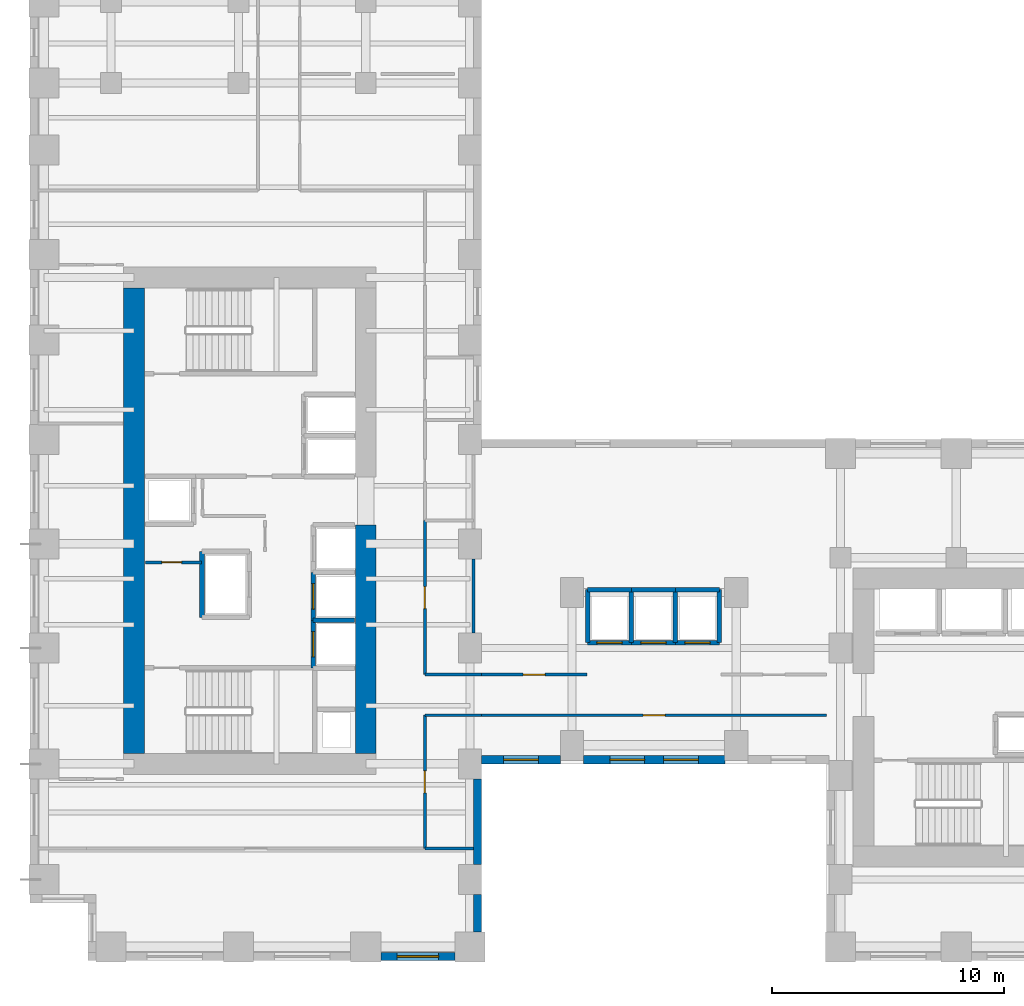
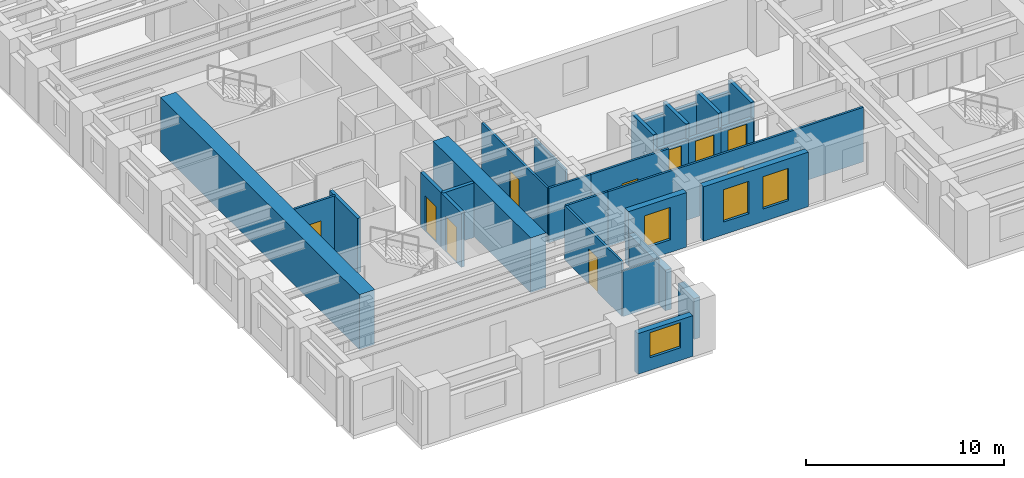
# One storey, part 4 of 11: 30 walls, 10 doors, 4 windows, 14 openings.
"""IFC4 building model written with IfcOpenShell, lengths in metres."""

from ifc_helpers import new_model, si_unit, direction, frame, frame_2d, origin, place, context, subcontext, project, spatial, rectangle, extrude, source, transform, mapped, material, layer, layer_set, type_object, element, fill, save


model = new_model("IFC4")

# Units and contexts
model_context = context("Model", 3, precision=1e-05, world=origin(), true_north=direction((0.0, 1.0)))
body_context = subcontext(model_context, "Body", "Model", "MODEL_VIEW")
ifc_project = project(units=[si_unit("LENGTHUNIT", "METRE"), si_unit("AREAUNIT", "SQUARE_METRE"), si_unit("VOLUMEUNIT", "CUBIC_METRE"), si_unit("PLANEANGLEUNIT", "RADIAN"), si_unit("MASSUNIT", "GRAM", prefix="KILO")], contexts=[model_context])

# Site, building, storey
site_placement = place(None, origin())
site = spatial("IfcSite", under=ifc_project, at=site_placement, CompositionType="ELEMENT")
building_placement = place(site_placement, origin())
building = spatial("IfcBuilding", under=site, at=building_placement, Name="Kharzan Plaza Tower", CompositionType="ELEMENT")
storey_placement = place(building_placement, frame((0.0, 0.0, 54.89990234375)))
storey = spatial("IfcBuildingStorey", under=building, at=storey_placement, Name="L14", CompositionType="ELEMENT", Elevation=54.89990234375)

# Wall, opening, window
ifc_material_1 = material(Name="Concrete C40/50", Category="concrete")
ifc_layer_1 = layer(ifc_material_1, 0.35009765625)
ifc_layer_set_1 = layer_set([ifc_layer_1], Name="Concrete C40/50")
wall_type_1 = type_object("IfcWallType", Name="WL-EXT-MAS-Z1", PredefinedType="SOLIDWALL", material=ifc_layer_set_1)
wall_1_placement = place(storey_placement, frame((15.14794921875, 0.175048828125, 0.0), z_axis=(0.0, 0.0, 1.0), x_axis=(1.0, 0.0, 0.0)))
wall_1 = element("IfcWall", 1, at=wall_1_placement, inside=storey, type_object=wall_type_1, Name="L14 Masonry-Frame Exterior Wall 25", PredefinedType="SOLIDWALL", context=body_context, shape_type="SweptSolid", body=[
    extrude(rectangle(XDim=3.2041015625, YDim=0.35009765625, at=frame_2d((1.60205078125, 0.0))), origin(), (0.0, 0.0, 1.0), 2.510009765625),
])
opening_1_placement = place(wall_1_placement, frame((0.701904296875, 0.0, 0.780029296875)))
opening_1 = element("IfcOpeningElement", 2, at=opening_1_placement, cuts=wall_1, Name="Opening W1", PredefinedType="OPENING", context=body_context, shape_type="SweptSolid", body=[
    extrude(rectangle(XDim=1.800048828125, YDim=1.550048828125, at=frame_2d((0.89990234375, 0.77490234375))), frame((0.0, 0.18505859375, 0.0), z_axis=(0.0, -1.0, 0.0), x_axis=(1.0, 0.0, 0.0)), (0.0, 0.0, 1.0), 0.3701171875),
])
ifc_material_2 = material(Name="Low-E Double Glazing", Category="glass")
window_type_1 = type_object("IfcWindowType", Name="WN-REC-1800x2100", PartitioningType="SINGLE_PANEL", PredefinedType="WINDOW", material=ifc_material_2)
shared_shape_1 = source(origin(), body_context, "Body", "SweptSolid", [
    extrude(rectangle(XDim=1.800048828125, YDim=1.550048828125, at=frame_2d((0.89990234375, 0.77490234375))), frame((0.0, 0.030029296875, 0.0), z_axis=(0.0, -1.0, 0.0), x_axis=(1.0, 0.0, 0.0)), (0.0, 0.0, 1.0), 0.06005859375),
])
window_1_placement = place(opening_1_placement, origin())
window_1 = element("IfcWindow", 3, at=window_1_placement, inside=storey, type_object=window_type_1, Name="L14 Recessed Solar-Control Window 25-1", OverallHeight=1.550048828125, OverallWidth=1.800048828125, PartitioningType="SINGLE_PANEL", PredefinedType="WINDOW", context=body_context, shape_type="MappedRepresentation", body=[
    mapped(shared_shape_1, transform((0.0, 0.0, 0.0), x_axis=(1.0, 0.0, 0.0), y_axis=(0.0, 1.0, 0.0), z_axis=(0.0, 0.0, 1.0))),
])
fill(opening_1, window_1)

wall_2_placement = place(storey_placement, frame((19.498046875, 8.675048828125, 0.0), z_axis=(0.0, 0.0, 1.0), x_axis=(1.0, 0.0, 0.0)))
wall_2 = element("IfcWall", 4, at=wall_2_placement, inside=storey, type_object=wall_type_1, Name="L14 Masonry-Frame Exterior Wall 28", PredefinedType="SOLIDWALL", context=body_context, shape_type="SweptSolid", body=[
    extrude(rectangle(XDim=3.404052734375, YDim=0.35009765625, at=frame_2d((1.7021484375, 0.0))), origin(), (0.0, 0.0, 1.0), 3.364990234375),
])
opening_2_placement = place(wall_2_placement, frame((0.951904296875, 0.0, 0.780029296875)))
opening_2 = element("IfcOpeningElement", 5, at=opening_2_placement, cuts=wall_2, Name="Opening W5", PredefinedType="OPENING", context=body_context, shape_type="SweptSolid", body=[
    extrude(rectangle(XDim=1.5, YDim=2.0, at=frame_2d((0.75, 1.0))), frame((0.0, 0.18505859375, 0.0), z_axis=(0.0, -1.0, 0.0), x_axis=(1.0, 0.0, 0.0)), (0.0, 0.0, 1.0), 0.3701171875),
])
window_type_2 = type_object("IfcWindowType", Name="WN-SLT-1500x2000", PartitioningType="SINGLE_PANEL", PredefinedType="WINDOW", material=ifc_material_2)
shared_shape_2 = source(origin(), body_context, "Body", "SweptSolid", [
    extrude(rectangle(XDim=1.5, YDim=2.0, at=frame_2d((0.75, 1.0))), frame((0.0, 0.030029296875, 0.0), z_axis=(0.0, -1.0, 0.0), x_axis=(1.0, 0.0, 0.0)), (0.0, 0.0, 1.0), 0.06005859375),
])
window_2_placement = place(opening_2_placement, origin())
window_2 = element("IfcWindow", 6, at=window_2_placement, inside=storey, type_object=window_type_2, Name="L14 Recessed Solar-Control Window 28-1", OverallHeight=2.0, OverallWidth=1.5, PartitioningType="SINGLE_PANEL", PredefinedType="WINDOW", context=body_context, shape_type="MappedRepresentation", body=[
    mapped(shared_shape_2, transform((0.0, 0.0, 0.0), x_axis=(1.0, 0.0, 0.0), y_axis=(0.0, 1.0, 0.0), z_axis=(0.0, 0.0, 1.0))),
])
fill(opening_2, window_2)

# Wall, openings, windows
wall_3_placement = place(storey_placement, frame((23.89794921875, 8.675048828125, 0.0), z_axis=(0.0, 0.0, 1.0), x_axis=(1.0, 0.0, 0.0)))
wall_3 = element("IfcWall", 7, at=wall_3_placement, inside=storey, type_object=wall_type_1, Name="L14 Masonry-Frame Exterior Wall 29", PredefinedType="SOLIDWALL", context=body_context, shape_type="SweptSolid", body=[
    extrude(rectangle(XDim=6.10400390625, YDim=0.35009765625, at=frame_2d((3.052001953125, 0.0))), origin(), (0.0, 0.0, 1.0), 3.364990234375),
])
opening_3_placement = place(wall_3_placement, frame((1.141357421875, 0.0, 0.780029296875)))
opening_3 = element("IfcOpeningElement", 8, at=opening_3_placement, cuts=wall_3, Name="Opening W5", PredefinedType="OPENING", context=body_context, shape_type="SweptSolid", body=[
    extrude(rectangle(XDim=1.5, YDim=2.0, at=frame_2d((0.75, 1.0))), frame((0.0, 0.18505859375, 0.0), z_axis=(0.0, -1.0, 0.0), x_axis=(1.0, 0.0, 0.0)), (0.0, 0.0, 1.0), 0.3701171875),
])
opening_4_placement = place(wall_3_placement, frame((3.462646484375, 0.0, 0.780029296875)))
opening_4 = element("IfcOpeningElement", 9, at=opening_4_placement, cuts=wall_3, Name="Opening W5", PredefinedType="OPENING", context=body_context, shape_type="SweptSolid", body=[
    extrude(rectangle(XDim=1.5, YDim=2.0, at=frame_2d((0.75, 1.0))), frame((0.0, 0.18505859375, 0.0), z_axis=(0.0, -1.0, 0.0), x_axis=(1.0, 0.0, 0.0)), (0.0, 0.0, 1.0), 0.3701171875),
])
window_3_placement = place(opening_3_placement, origin())
window_3 = element("IfcWindow", 10, at=window_3_placement, inside=storey, type_object=window_type_2, Name="L14 Recessed Solar-Control Window 29-1", OverallHeight=2.0, OverallWidth=1.5, PartitioningType="SINGLE_PANEL", PredefinedType="WINDOW", context=body_context, shape_type="MappedRepresentation", body=[
    mapped(shared_shape_2, transform((0.0, 0.0, 0.0), x_axis=(1.0, 0.0, 0.0), y_axis=(0.0, 1.0, 0.0), z_axis=(0.0, 0.0, 1.0))),
])
fill(opening_3, window_3)
window_4_placement = place(opening_4_placement, origin())
window_4 = element("IfcWindow", 11, at=window_4_placement, inside=storey, type_object=window_type_2, Name="L14 Recessed Solar-Control Window 29-2", OverallHeight=2.0, OverallWidth=1.5, PartitioningType="SINGLE_PANEL", PredefinedType="WINDOW", context=body_context, shape_type="MappedRepresentation", body=[
    mapped(shared_shape_2, transform((0.0, 0.0, 0.0), x_axis=(1.0, 0.0, 0.0), y_axis=(0.0, 1.0, 0.0), z_axis=(0.0, 0.0, 1.0))),
])
fill(opening_4, window_4)

# Wall, opening, door
ifc_material_3 = material(Name="Fire-Rated Gypsum Board Partition", Category="gypsum")
ifc_layer_2 = layer(ifc_material_3, 0.125)
ifc_layer_set_2 = layer_set([ifc_layer_2], Name="Fire-Rated Gypsum Board Partition")
wall_type_2 = type_object("IfcWallType", Name="WL-INT-PART-125", PredefinedType="PARTITIONING", material=ifc_layer_set_2)
wall_4_placement = place(storey_placement, frame((5.0, 17.199951171875, 0.0), z_axis=(0.0, 0.0, 1.0), x_axis=(1.0, 0.0, 0.0)))
wall_4 = element("IfcWall", 12, at=wall_4_placement, inside=storey, type_object=wall_type_2, Name="L14 Interior Partition CA-K2N0", PredefinedType="PARTITIONING", context=body_context, shape_type="SweptSolid", body=[
    extrude(rectangle(XDim=2.39990234375, YDim=0.125, at=frame_2d((1.199951171875, 0.0))), origin(), (0.0, 0.0, 1.0), 3.364990234375),
])
opening_5_placement = place(wall_4_placement, frame((0.699951171875, 0.0, 0.0)))
opening_5 = element("IfcOpeningElement", 13, at=opening_5_placement, cuts=wall_4, Name="Opening RD1", PredefinedType="OPENING", context=body_context, shape_type="SweptSolid", body=[
    extrude(rectangle(XDim=0.85009765625, YDim=2.10009765625, at=frame_2d((0.425048828125, 1.050048828125))), frame((0.0, 0.072509765625, 0.0), z_axis=(0.0, -1.0, 0.0), x_axis=(1.0, 0.0, 0.0)), (0.0, 0.0, 1.0), 0.14501953125),
])
ifc_material_4 = material(Name="Powder-Coated Fire-Rated Steel", Category="steel")
door_type_1 = type_object("IfcDoorType", Name="DR-RISER-900", OperationType="NOTDEFINED", PredefinedType="DOOR", material=ifc_material_4)
shared_shape_3 = source(origin(), body_context, "Body", "SweptSolid", [
    extrude(rectangle(XDim=0.85009765625, YDim=2.10009765625, at=frame_2d((0.425048828125, 1.050048828125))), frame((0.0, 0.02490234375, 0.0), z_axis=(0.0, -1.0, 0.0), x_axis=(1.0, 0.0, 0.0)), (0.0, 0.0, 1.0), 0.050048828125),
])
door_1_placement = place(opening_5_placement, origin())
door_1 = element("IfcDoor", 14, at=door_1_placement, inside=storey, type_object=door_type_1, Name="L14 Core Electrical Store Door", OperationType="SINGLE_SWING_LEFT", OverallHeight=2.10009765625, OverallWidth=0.85009765625, PredefinedType="DOOR", context=body_context, shape_type="MappedRepresentation", body=[
    mapped(shared_shape_3, transform((0.0, 0.0, 0.0), x_axis=(1.0, 0.0, 0.0), y_axis=(0.0, 1.0, 0.0), z_axis=(0.0, 0.0, 1.0))),
])
fill(opening_5, door_1)

wall_5_placement = place(storey_placement, frame((17.050048828125, 12.35009765625, 0.0), z_axis=(0.0, 0.0, 1.0), x_axis=(0.0, 1.0, 0.0)))
wall_5 = element("IfcWall", 15, at=wall_5_placement, inside=storey, type_object=wall_type_2, Name="L14 Interior Partition SH-AEWN1", PredefinedType="PARTITIONING", context=body_context, shape_type="SweptSolid", body=[
    extrude(rectangle(XDim=6.64990234375, YDim=0.125, at=frame_2d((3.324951171875, 0.0))), origin(), (0.0, 0.0, 1.0), 3.364990234375),
])
opening_6_placement = place(wall_5_placement, frame((2.85009765625, 0.0, 0.0)))
opening_6 = element("IfcOpeningElement", 16, at=opening_6_placement, cuts=wall_5, Name="Opening OD1", PredefinedType="OPENING", context=body_context, shape_type="SweptSolid", body=[
    extrude(rectangle(XDim=0.949951171875, YDim=2.14990234375, at=frame_2d((0.47509765625, 1.074951171875))), frame((0.0, 0.072509765625, 0.0), z_axis=(0.0, -1.0, 0.0), x_axis=(1.0, 0.0, 0.0)), (0.0, 0.0, 1.0), 0.14501953125),
])
ifc_material_5 = material(Name="Acoustic Solid-Core Stained Oak", Category="timber")
door_type_2 = type_object("IfcDoorType", Name="DR-OFF-SINGLE", OperationType="NOTDEFINED", PredefinedType="DOOR", material=ifc_material_5)
shared_shape_4 = source(origin(), body_context, "Body", "SweptSolid", [
    extrude(rectangle(XDim=0.949951171875, YDim=2.14990234375, at=frame_2d((0.47509765625, 1.074951171875))), frame((0.0, 0.02490234375, 0.0), z_axis=(0.0, -1.0, 0.0), x_axis=(1.0, 0.0, 0.0)), (0.0, 0.0, 1.0), 0.050048828125),
])
door_2_placement = place(opening_6_placement, origin())
door_2 = element("IfcDoor", 17, at=door_2_placement, inside=storey, type_object=door_type_2, Name="L14 Slot Collaboration Door", OperationType="SINGLE_SWING_RIGHT", OverallHeight=2.14990234375, OverallWidth=0.949951171875, PredefinedType="DOOR", context=body_context, shape_type="MappedRepresentation", body=[
    mapped(shared_shape_4, transform((0.0, 0.0, 0.0), x_axis=(1.0, 0.0, 0.0), y_axis=(0.0, 1.0, 0.0), z_axis=(0.0, 0.0, 1.0))),
])
fill(opening_6, door_2)

wall_6_placement = place(storey_placement, frame((17.050048828125, 4.85009765625, 0.0), z_axis=(0.0, 0.0, 1.0), x_axis=(0.0, 1.0, 0.0)))
wall_6 = element("IfcWall", 18, at=wall_6_placement, inside=storey, type_object=wall_type_2, Name="L14 Interior Partition SH-AEWS", PredefinedType="PARTITIONING", context=body_context, shape_type="SweptSolid", body=[
    extrude(rectangle(XDim=5.75, YDim=0.125, at=frame_2d((2.875, 0.0))), origin(), (0.0, 0.0, 1.0), 3.364990234375),
])
opening_7_placement = place(wall_6_placement, frame((2.39990234375, 0.0, 0.0)))
opening_7 = element("IfcOpeningElement", 19, at=opening_7_placement, cuts=wall_6, Name="Opening OD1", PredefinedType="OPENING", context=body_context, shape_type="SweptSolid", body=[
    extrude(rectangle(XDim=0.949951171875, YDim=2.14990234375, at=frame_2d((0.47509765625, 1.074951171875))), frame((0.0, 0.072509765625, 0.0), z_axis=(0.0, -1.0, 0.0), x_axis=(1.0, 0.0, 0.0)), (0.0, 0.0, 1.0), 0.14501953125),
])
door_3_placement = place(opening_7_placement, origin())
door_3 = element("IfcDoor", 20, at=door_3_placement, inside=storey, type_object=door_type_2, Name="L14 Slot South Office Door", OperationType="SINGLE_SWING_LEFT", OverallHeight=2.14990234375, OverallWidth=0.949951171875, PredefinedType="DOOR", context=body_context, shape_type="MappedRepresentation", body=[
    mapped(shared_shape_4, transform((0.0, 0.0, 0.0), x_axis=(1.0, 0.0, 0.0), y_axis=(0.0, 1.0, 0.0), z_axis=(0.0, 0.0, 1.0))),
])
fill(opening_7, door_3)

wall_7_placement = place(storey_placement, frame((19.5, 12.35009765625, 0.0), z_axis=(0.0, 0.0, 1.0), x_axis=(1.0, 0.0, 0.0)))
wall_7 = element("IfcWall", 21, at=wall_7_placement, inside=storey, type_object=wall_type_2, Name="L14 Interior Partition SH-SPNW1", PredefinedType="PARTITIONING", context=body_context, shape_type="SweptSolid", body=[
    extrude(rectangle(XDim=4.550048828125, YDim=0.125, at=frame_2d((2.27490234375, 0.0))), origin(), (0.0, 0.0, 1.0), 3.364990234375),
])
opening_8_placement = place(wall_7_placement, frame((1.800048828125, 0.0, 0.0)))
opening_8 = element("IfcOpeningElement", 22, at=opening_8_placement, cuts=wall_7, Name="Opening OD1", PredefinedType="OPENING", context=body_context, shape_type="SweptSolid", body=[
    extrude(rectangle(XDim=0.949951171875, YDim=2.14990234375, at=frame_2d((0.47509765625, 1.074951171875))), frame((0.0, 0.072509765625, 0.0), z_axis=(0.0, -1.0, 0.0), x_axis=(1.0, 0.0, 0.0)), (0.0, 0.0, 1.0), 0.14501953125),
])
door_4_placement = place(opening_8_placement, origin())
door_4 = element("IfcDoor", 23, at=door_4_placement, inside=storey, type_object=door_type_2, Name="L14 North-West Spine Door", OperationType="SINGLE_SWING_LEFT", OverallHeight=2.14990234375, OverallWidth=0.949951171875, PredefinedType="DOOR", context=body_context, shape_type="MappedRepresentation", body=[
    mapped(shared_shape_4, transform((0.0, 0.0, 0.0), x_axis=(1.0, 0.0, 0.0), y_axis=(0.0, 1.0, 0.0), z_axis=(0.0, 0.0, 1.0))),
])
fill(opening_8, door_4)

wall_8_placement = place(storey_placement, frame((19.5, 10.60009765625, 0.0), z_axis=(0.0, 0.0, 1.0), x_axis=(1.0, 0.0, 0.0)))
wall_8 = element("IfcWall", 24, at=wall_8_placement, inside=storey, type_object=wall_type_2, Name="L14 Interior Partition SH-SPS1", PredefinedType="PARTITIONING", context=body_context, shape_type="SweptSolid", body=[
    extrude(rectangle(XDim=14.89990234375, YDim=0.125, at=frame_2d((7.449951171875, 0.0))), origin(), (0.0, 0.0, 1.0), 3.364990234375),
])
opening_9_placement = place(wall_8_placement, frame((6.97509765625, 0.0, 0.0)))
opening_9 = element("IfcOpeningElement", 25, at=opening_9_placement, cuts=wall_8, Name="Opening OD1", PredefinedType="OPENING", context=body_context, shape_type="SweptSolid", body=[
    extrude(rectangle(XDim=0.949951171875, YDim=2.14990234375, at=frame_2d((0.47509765625, 1.074951171875))), frame((0.0, 0.072509765625, 0.0), z_axis=(0.0, -1.0, 0.0), x_axis=(1.0, 0.0, 0.0)), (0.0, 0.0, 1.0), 0.14501953125),
])
door_5_placement = place(opening_9_placement, origin())
door_5 = element("IfcDoor", 26, at=door_5_placement, inside=storey, type_object=door_type_2, Name="L14 South Spine Studio Door", OperationType="SINGLE_SWING_RIGHT", OverallHeight=2.14990234375, OverallWidth=0.949951171875, PredefinedType="DOOR", context=body_context, shape_type="MappedRepresentation", body=[
    mapped(shared_shape_4, transform((0.0, 0.0, 0.0), x_axis=(1.0, 0.0, 0.0), y_axis=(0.0, 1.0, 0.0), z_axis=(0.0, 0.0, 1.0))),
])
fill(opening_9, door_5)

ifc_layer_3 = layer(ifc_material_1, 0.199951171875)
ifc_layer_set_3 = layer_set([ifc_layer_3], Name="Concrete C40/50")
wall_type_3 = type_object("IfcWallType", Name="WL-INT-SHAFT-200", PredefinedType="PARTITIONING", material=ifc_layer_set_3)
wall_9_placement = place(storey_placement, frame((12.22998046875, 12.6298828125, 0.0), z_axis=(0.0, 0.0, 1.0), x_axis=(0.0, 1.0, 0.0)))
wall_9 = element("IfcWall", 27, at=wall_9_placement, inside=storey, type_object=wall_type_3, Name="L14 Interior Partition SHF-PL-H1-W", PredefinedType="PARTITIONING", context=body_context, shape_type="SweptSolid", body=[
    extrude(rectangle(XDim=2.070068359375, YDim=0.199951171875, at=frame_2d((1.03515625, 0.0))), origin(), (0.0, 0.0, 1.0), 3.364990234375),
])
opening_10_placement = place(wall_9_placement, frame((0.485107421875, 0.0, 0.0)))
opening_10 = element("IfcOpeningElement", 28, at=opening_10_placement, cuts=wall_9, Name="Opening LD", PredefinedType="OPENING", context=body_context, shape_type="SweptSolid", body=[
    extrude(rectangle(XDim=1.10009765625, YDim=2.199951171875, at=frame_2d((0.550048828125, 1.10009765625))), frame((0.0, 0.10986328125, 0.0), z_axis=(0.0, -1.0, 0.0), x_axis=(1.0, 0.0, 0.0)), (0.0, 0.0, 1.0), 0.219970703125),
])
ifc_material_6 = material(Name="Brushed Stainless Steel", Category="steel")
door_type_3 = type_object("IfcDoorType", Name="DR-LIFT-SLIDE", OperationType="SLIDING_TO_LEFT", PredefinedType="DOOR", material=ifc_material_6)
shared_shape_5 = source(origin(), body_context, "Body", "SweptSolid", [
    extrude(rectangle(XDim=1.10009765625, YDim=2.199951171875, at=frame_2d((0.550048828125, 1.10009765625))), frame((0.0, 0.02490234375, 0.0), z_axis=(0.0, -1.0, 0.0), x_axis=(1.0, 0.0, 0.0)), (0.0, 0.0, 1.0), 0.050048828125),
])
door_6_placement = place(opening_10_placement, origin())
door_6 = element("IfcDoor", 29, at=door_6_placement, inside=storey, type_object=door_type_3, Name="L14 High-Rise Passenger Lift PL-H1 Sliding Landing Door", OperationType="SLIDING_TO_LEFT", OverallHeight=2.199951171875, OverallWidth=1.10009765625, PredefinedType="DOOR", context=body_context, shape_type="MappedRepresentation", body=[
    mapped(shared_shape_5, transform((0.0, 0.0, 0.0), x_axis=(1.0, 0.0, 0.0), y_axis=(0.0, 1.0, 0.0), z_axis=(0.0, 0.0, 1.0))),
])
fill(opening_10, door_6)

wall_10_placement = place(storey_placement, frame((12.22998046875, 14.699951171875, 0.0), z_axis=(0.0, 0.0, 1.0), x_axis=(0.0, 1.0, 0.0)))
wall_10 = element("IfcWall", 30, at=wall_10_placement, inside=storey, type_object=wall_type_3, Name="L14 Interior Partition SHF-PL-H2-W", PredefinedType="PARTITIONING", context=body_context, shape_type="SweptSolid", body=[
    extrude(rectangle(XDim=2.070068359375, YDim=0.199951171875, at=frame_2d((1.03515625, 0.0))), origin(), (0.0, 0.0, 1.0), 3.364990234375),
])
opening_11_placement = place(wall_10_placement, frame((0.485107421875, 0.0, 0.0)))
opening_11 = element("IfcOpeningElement", 31, at=opening_11_placement, cuts=wall_10, Name="Opening LD", PredefinedType="OPENING", context=body_context, shape_type="SweptSolid", body=[
    extrude(rectangle(XDim=1.10009765625, YDim=2.199951171875, at=frame_2d((0.550048828125, 1.10009765625))), frame((0.0, 0.10986328125, 0.0), z_axis=(0.0, -1.0, 0.0), x_axis=(1.0, 0.0, 0.0)), (0.0, 0.0, 1.0), 0.219970703125),
])
door_7_placement = place(opening_11_placement, origin())
door_7 = element("IfcDoor", 32, at=door_7_placement, inside=storey, type_object=door_type_3, Name="L14 High-Rise Passenger Lift PL-H2 Sliding Landing Door", OperationType="SLIDING_TO_LEFT", OverallHeight=2.199951171875, OverallWidth=1.10009765625, PredefinedType="DOOR", context=body_context, shape_type="MappedRepresentation", body=[
    mapped(shared_shape_5, transform((0.0, 0.0, 0.0), x_axis=(1.0, 0.0, 0.0), y_axis=(0.0, 1.0, 0.0), z_axis=(0.0, 0.0, 1.0))),
])
fill(opening_11, door_7)

wall_11_placement = place(storey_placement, frame((24.080078125, 13.72998046875, 0.0), z_axis=(0.0, 0.0, 1.0), x_axis=(1.0, 0.0, 0.0)))
wall_11 = element("IfcWall", 33, at=wall_11_placement, inside=storey, type_object=wall_type_3, Name="L14 Interior Partition SHF-PL-M1-S", PredefinedType="PARTITIONING", context=body_context, shape_type="SweptSolid", body=[
    extrude(rectangle(XDim=1.889892578125, YDim=0.199951171875, at=frame_2d((0.94482421875, 0.0))), origin(), (0.0, 0.0, 1.0), 2.446044921875),
])
opening_12_placement = place(wall_11_placement, frame((0.39501953125, 0.0, 0.0)))
opening_12 = element("IfcOpeningElement", 34, at=opening_12_placement, cuts=wall_11, Name="Opening LD", PredefinedType="OPENING", context=body_context, shape_type="SweptSolid", body=[
    extrude(rectangle(XDim=1.10009765625, YDim=2.199951171875, at=frame_2d((0.550048828125, 1.10009765625))), frame((0.0, 0.10986328125, 0.0), z_axis=(0.0, -1.0, 0.0), x_axis=(1.0, 0.0, 0.0)), (0.0, 0.0, 1.0), 0.219970703125),
])
door_8_placement = place(opening_12_placement, origin())
door_8 = element("IfcDoor", 35, at=door_8_placement, inside=storey, type_object=door_type_3, Name="L14 Mid-Rise Passenger Lift PL-M1 Sliding Landing Door", OperationType="SLIDING_TO_LEFT", OverallHeight=2.199951171875, OverallWidth=1.10009765625, PredefinedType="DOOR", context=body_context, shape_type="MappedRepresentation", body=[
    mapped(shared_shape_5, transform((0.0, 0.0, 0.0), x_axis=(1.0, 0.0, 0.0), y_axis=(0.0, 1.0, 0.0), z_axis=(0.0, 0.0, 1.0))),
])
fill(opening_12, door_8)

wall_12_placement = place(storey_placement, frame((25.97998046875, 13.72998046875, 0.0), z_axis=(0.0, 0.0, 1.0), x_axis=(1.0, 0.0, 0.0)))
wall_12 = element("IfcWall", 36, at=wall_12_placement, inside=storey, type_object=wall_type_3, Name="L14 Interior Partition SHF-PL-M2-S", PredefinedType="PARTITIONING", context=body_context, shape_type="SweptSolid", body=[
    extrude(rectangle(XDim=1.89013671875, YDim=0.199951171875, at=frame_2d((0.945068359375, 0.0))), origin(), (0.0, 0.0, 1.0), 2.446044921875),
])
opening_13_placement = place(wall_12_placement, frame((0.39501953125, 0.0, 0.0)))
opening_13 = element("IfcOpeningElement", 37, at=opening_13_placement, cuts=wall_12, Name="Opening LD", PredefinedType="OPENING", context=body_context, shape_type="SweptSolid", body=[
    extrude(rectangle(XDim=1.10009765625, YDim=2.199951171875, at=frame_2d((0.550048828125, 1.10009765625))), frame((0.0, 0.10986328125, 0.0), z_axis=(0.0, -1.0, 0.0), x_axis=(1.0, 0.0, 0.0)), (0.0, 0.0, 1.0), 0.219970703125),
])
door_9_placement = place(opening_13_placement, origin())
door_9 = element("IfcDoor", 38, at=door_9_placement, inside=storey, type_object=door_type_3, Name="L14 Mid-Rise Passenger Lift PL-M2 Sliding Landing Door", OperationType="SLIDING_TO_LEFT", OverallHeight=2.199951171875, OverallWidth=1.10009765625, PredefinedType="DOOR", context=body_context, shape_type="MappedRepresentation", body=[
    mapped(shared_shape_5, transform((0.0, 0.0, 0.0), x_axis=(1.0, 0.0, 0.0), y_axis=(0.0, 1.0, 0.0), z_axis=(0.0, 0.0, 1.0))),
])
fill(opening_13, door_9)

wall_13_placement = place(storey_placement, frame((27.8798828125, 13.72998046875, 0.0), z_axis=(0.0, 0.0, 1.0), x_axis=(1.0, 0.0, 0.0)))
wall_13 = element("IfcWall", 39, at=wall_13_placement, inside=storey, type_object=wall_type_3, Name="L14 Interior Partition SHF-PL-M3-S", PredefinedType="PARTITIONING", context=body_context, shape_type="SweptSolid", body=[
    extrude(rectangle(XDim=1.89013671875, YDim=0.199951171875, at=frame_2d((0.945068359375, 0.0))), origin(), (0.0, 0.0, 1.0), 2.446044921875),
])
opening_14_placement = place(wall_13_placement, frame((0.39501953125, 0.0, 0.0)))
opening_14 = element("IfcOpeningElement", 40, at=opening_14_placement, cuts=wall_13, Name="Opening LD", PredefinedType="OPENING", context=body_context, shape_type="SweptSolid", body=[
    extrude(rectangle(XDim=1.10009765625, YDim=2.199951171875, at=frame_2d((0.550048828125, 1.10009765625))), frame((0.0, 0.10986328125, 0.0), z_axis=(0.0, -1.0, 0.0), x_axis=(1.0, 0.0, 0.0)), (0.0, 0.0, 1.0), 0.219970703125),
])
door_10_placement = place(opening_14_placement, origin())
door_10 = element("IfcDoor", 41, at=door_10_placement, inside=storey, type_object=door_type_3, Name="L14 Mid-Rise Passenger Lift PL-M3 Sliding Landing Door", OperationType="SLIDING_TO_LEFT", OverallHeight=2.199951171875, OverallWidth=1.10009765625, PredefinedType="DOOR", context=body_context, shape_type="MappedRepresentation", body=[
    mapped(shared_shape_5, transform((0.0, 0.0, 0.0), x_axis=(1.0, 0.0, 0.0), y_axis=(0.0, 1.0, 0.0), z_axis=(0.0, 0.0, 1.0))),
])
fill(opening_14, door_10)

# Walls
shared_shape_6 = source(origin(), body_context, "Body", "SweptSolid", [
    extrude(rectangle(XDim=1.60400390625, YDim=0.35009765625, at=frame_2d((0.802001953125, 0.0))), origin(), (0.0, 0.0, 1.0), 2.510009765625),
])
wall_14_placement = place(storey_placement, frame((19.324951171875, 1.248046875, 0.0), z_axis=(0.0, 0.0, 1.0), x_axis=(0.0, 1.0, 0.0)))
element("IfcWall", 42, at=wall_14_placement, inside=storey, type_object=wall_type_1, Name="L14 Masonry-Frame Exterior Wall 26", PredefinedType="SOLIDWALL", context=body_context, shape_type="MappedRepresentation", body=[
    mapped(shared_shape_6, transform((0.0, 0.0, 0.0), x_axis=(1.0, 0.0, 0.0), y_axis=(0.0, 1.0, 0.0), z_axis=(0.0, 0.0, 1.0))),
])
shared_shape_7 = source(origin(), body_context, "Body", "SweptSolid", [
    extrude(rectangle(XDim=3.7041015625, YDim=0.35009765625, at=frame_2d((1.85205078125, 0.0))), origin(), (0.0, 0.0, 1.0), 2.510009765625),
])
wall_15_placement = place(storey_placement, frame((19.324951171875, 4.14794921875, 0.0), z_axis=(0.0, 0.0, 1.0), x_axis=(0.0, 1.0, 0.0)))
element("IfcWall", 43, at=wall_15_placement, inside=storey, type_object=wall_type_1, Name="L14 Masonry-Frame Exterior Wall 27", PredefinedType="SOLIDWALL", context=body_context, shape_type="MappedRepresentation", body=[
    mapped(shared_shape_7, transform((0.0, 0.0, 0.0), x_axis=(1.0, 0.0, 0.0), y_axis=(0.0, 1.0, 0.0), z_axis=(0.0, 0.0, 1.0))),
])
shared_shape_8 = source(origin(), body_context, "Body", "SweptSolid", [
    extrude(rectangle(XDim=1.7900390625, YDim=0.199951171875, at=frame_2d((0.89501953125, 0.0))), origin(), (0.0, 0.0, 1.0), 3.364990234375),
])
wall_16_placement = place(storey_placement, frame((12.22998046875, 14.699951171875, 0.0), z_axis=(0.0, 0.0, 1.0), x_axis=(1.0, 0.0, 0.0)))
element("IfcWall", 44, at=wall_16_placement, inside=storey, type_object=wall_type_3, Name="L14 Interior Partition SHF-PL-H1-N", PredefinedType="PARTITIONING", context=body_context, shape_type="MappedRepresentation", body=[
    mapped(shared_shape_8, transform((0.0, 0.0, 0.0), x_axis=(1.0, 0.0, 0.0), y_axis=(0.0, 1.0, 0.0), z_axis=(0.0, 0.0, 1.0))),
])
shared_shape_9 = source(origin(), body_context, "Body", "SweptSolid", [
    extrude(rectangle(XDim=2.2900390625, YDim=0.199951171875, at=frame_2d((1.14501953125, 0.0))), origin(), (0.0, 0.0, 1.0), 3.364990234375),
])
for number, where, z_axis, x_axis, name in (
    (45, (25.969970703125, 13.72998046875, 0.0), (0.0, 0.0, 1.0), (0.0, 1.0, 0.0), "L14 Interior Partition SHF-PL-M1-E"),
    (46, (24.080078125, 13.72998046875, 0.0), (0.0, 0.0, 1.0), (0.0, 1.0, 0.0), "L14 Interior Partition SHF-PL-M1-W"),
    (47, (27.8701171875, 13.72998046875, 0.0), (0.0, 0.0, 1.0), (0.0, 1.0, 0.0), "L14 Interior Partition SHF-PL-M2-E"),
    (48, (29.77001953125, 13.72998046875, 0.0), (0.0, 0.0, 1.0), (0.0, 1.0, 0.0), "L14 Interior Partition SHF-PL-M3-E"),
):
    element("IfcWall", number, at=place(storey_placement, frame(where, z_axis=z_axis, x_axis=x_axis)), inside=storey, type_object=wall_type_3, Name=name, PredefinedType="PARTITIONING", context=body_context, shape_type="MappedRepresentation", body=[
        mapped(shared_shape_9, transform((0.0, 0.0, 0.0), x_axis=(1.0, 0.0, 0.0), y_axis=(0.0, 1.0, 0.0), z_axis=(0.0, 0.0, 1.0))),
    ])
shared_shape_10 = source(origin(), body_context, "Body", "SweptSolid", [
    extrude(rectangle(XDim=2.83984375, YDim=0.199951171875, at=frame_2d((1.419921875, 0.0))), origin(), (0.0, 0.0, 1.0), 3.364990234375),
])
wall_17_placement = place(storey_placement, frame((7.429931640625, 14.830078125, 0.0), z_axis=(0.0, 0.0, 1.0), x_axis=(0.0, 1.0, 0.0)))
element("IfcWall", 49, at=wall_17_placement, inside=storey, type_object=wall_type_3, Name="L14 Interior Partition SHF-SVL-1-W", PredefinedType="PARTITIONING", context=body_context, shape_type="MappedRepresentation", body=[
    mapped(shared_shape_10, transform((0.0, 0.0, 0.0), x_axis=(1.0, 0.0, 0.0), y_axis=(0.0, 1.0, 0.0), z_axis=(0.0, 0.0, 1.0))),
])
shared_shape_11 = source(origin(), body_context, "Body", "SweptSolid", [
    extrude(rectangle(XDim=2.449951171875, YDim=0.125, at=frame_2d((1.22509765625, 0.0))), origin(), (0.0, 0.0, 1.0), 3.364990234375),
])
for number, where, z_axis, x_axis, name in (
    (50, (17.050048828125, 12.35009765625, 0.0), (0.0, 0.0, 1.0), (1.0, 0.0, 0.0), "L14 Interior Partition SH-SPNW0"),
    (51, (17.050048828125, 10.60009765625, 0.0), (0.0, 0.0, 1.0), (1.0, 0.0, 0.0), "L14 Interior Partition SH-SPS0"),
):
    element("IfcWall", number, at=place(storey_placement, frame(where, z_axis=z_axis, x_axis=x_axis)), inside=storey, type_object=wall_type_2, Name=name, PredefinedType="PARTITIONING", context=body_context, shape_type="MappedRepresentation", body=[
        mapped(shared_shape_11, transform((0.0, 0.0, 0.0), x_axis=(1.0, 0.0, 0.0), y_axis=(0.0, 1.0, 0.0), z_axis=(0.0, 0.0, 1.0))),
    ])
ifc_material_7 = material(Name="Concrete C60/75", Category="concrete")
ifc_layer_4 = layer(ifc_material_7, 0.89990234375)
ifc_layer_set_4 = layer_set([ifc_layer_4], Name="Concrete C60/75")
wall_type_4 = type_object("IfcWallType", Name="WL-CORE-900", PredefinedType="SHEAR", material=ifc_layer_set_4)
shared_shape_12 = source(origin(), body_context, "Body", "SweptSolid", [
    extrude(rectangle(XDim=9.8701171875, YDim=0.89990234375, at=frame_2d((4.93505859375, 0.0))), origin(), (0.0, 0.0, 1.0), 3.380126953125),
])
wall_18_placement = place(storey_placement, frame((14.5, 8.949951171875, 0.0), z_axis=(0.0, 0.0, 1.0), x_axis=(0.0, 1.0, 0.0)))
element("IfcWall", 52, at=wall_18_placement, inside=storey, type_object=wall_type_4, Name="L14 CORE-A east shear pier 1", PredefinedType="SHEAR", context=body_context, shape_type="MappedRepresentation", body=[
    mapped(shared_shape_12, transform((0.0, 0.0, 0.0), x_axis=(1.0, 0.0, 0.0), y_axis=(0.0, 1.0, 0.0), z_axis=(0.0, 0.0, 1.0))),
])
shared_shape_13 = source(origin(), body_context, "Body", "SweptSolid", [
    extrude(rectangle(XDim=20.10009765625, YDim=0.89990234375, at=frame_2d((10.050048828125, 0.0))), origin(), (0.0, 0.0, 1.0), 3.380126953125),
])
wall_19_placement = place(storey_placement, frame((4.5, 8.949951171875, 0.0), z_axis=(0.0, 0.0, 1.0), x_axis=(0.0, 1.0, 0.0)))
element("IfcWall", 53, at=wall_19_placement, inside=storey, type_object=wall_type_4, Name="L14 CORE-A west RC shear wall", PredefinedType="SHEAR", context=body_context, shape_type="MappedRepresentation", body=[
    mapped(shared_shape_13, transform((0.0, 0.0, 0.0), x_axis=(1.0, 0.0, 0.0), y_axis=(0.0, 1.0, 0.0), z_axis=(0.0, 0.0, 1.0))),
])
shared_shape_14 = source(origin(), body_context, "Body", "SweptSolid", [
    extrude(rectangle(XDim=3.18017578125, YDim=0.125, at=frame_2d((1.590087890625, 0.0))), origin(), (0.0, 0.0, 1.0), 2.670166015625),
])
wall_20_placement = place(storey_placement, frame((19.14990234375, 14.159912109375, 0.0), z_axis=(0.0, 0.0, 1.0), x_axis=(0.0, 1.0, 0.0)))
element("IfcWall", 54, at=wall_20_placement, inside=storey, type_object=wall_type_2, Name="L14 Interior Partition SH-AEN-DIV-S1", PredefinedType="PARTITIONING", context=body_context, shape_type="MappedRepresentation", body=[
    mapped(shared_shape_14, transform((0.0, 0.0, 0.0), x_axis=(1.0, 0.0, 0.0), y_axis=(0.0, 1.0, 0.0), z_axis=(0.0, 0.0, 1.0))),
])
shared_shape_15 = source(origin(), body_context, "Body", "SweptSolid", [
    extrude(rectangle(XDim=2.097900390625, YDim=0.125, at=frame_2d((1.048828125, 0.0))), origin(), (0.0, 0.0, 1.0), 2.828125),
])
wall_21_placement = place(storey_placement, frame((17.050048828125, 4.85009765625, 0.0), z_axis=(0.0, 0.0, 1.0), x_axis=(1.0, 0.0, 0.0)))
element("IfcWall", 55, at=wall_21_placement, inside=storey, type_object=wall_type_2, Name="L14 Interior Partition SH-SSE-1", PredefinedType="PARTITIONING", context=body_context, shape_type="MappedRepresentation", body=[
    mapped(shared_shape_15, transform((0.0, 0.0, 0.0), x_axis=(1.0, 0.0, 0.0), y_axis=(0.0, 1.0, 0.0), z_axis=(0.0, 0.0, 1.0))),
])
shared_shape_16 = source(origin(), body_context, "Body", "SweptSolid", [
    extrude(rectangle(XDim=1.889892578125, YDim=0.199951171875, at=frame_2d((0.94482421875, 0.0))), origin(), (0.0, 0.0, 1.0), 2.670166015625),
])
wall_22_placement = place(storey_placement, frame((24.080078125, 16.02001953125, 0.0), z_axis=(0.0, 0.0, 1.0), x_axis=(1.0, 0.0, 0.0)))
element("IfcWall", 56, at=wall_22_placement, inside=storey, type_object=wall_type_3, Name="L14 Interior Partition SHF-PL-M1-N", PredefinedType="PARTITIONING", context=body_context, shape_type="MappedRepresentation", body=[
    mapped(shared_shape_16, transform((0.0, 0.0, 0.0), x_axis=(1.0, 0.0, 0.0), y_axis=(0.0, 1.0, 0.0), z_axis=(0.0, 0.0, 1.0))),
])
shared_shape_17 = source(origin(), body_context, "Body", "SweptSolid", [
    extrude(rectangle(XDim=1.89013671875, YDim=0.199951171875, at=frame_2d((0.945068359375, 0.0))), origin(), (0.0, 0.0, 1.0), 2.670166015625),
])
for number, where, z_axis, x_axis, name in (
    (57, (25.97998046875, 16.02001953125, 0.0), (0.0, 0.0, 1.0), (1.0, 0.0, 0.0), "L14 Interior Partition SHF-PL-M2-N"),
    (58, (27.8798828125, 16.02001953125, 0.0), (0.0, 0.0, 1.0), (1.0, 0.0, 0.0), "L14 Interior Partition SHF-PL-M3-N"),
):
    element("IfcWall", number, at=place(storey_placement, frame(where, z_axis=z_axis, x_axis=x_axis)), inside=storey, type_object=wall_type_3, Name=name, PredefinedType="PARTITIONING", context=body_context, shape_type="MappedRepresentation", body=[
        mapped(shared_shape_17, transform((0.0, 0.0, 0.0), x_axis=(1.0, 0.0, 0.0), y_axis=(0.0, 1.0, 0.0), z_axis=(0.0, 0.0, 1.0))),
    ])

save(model, "model.ifc")
